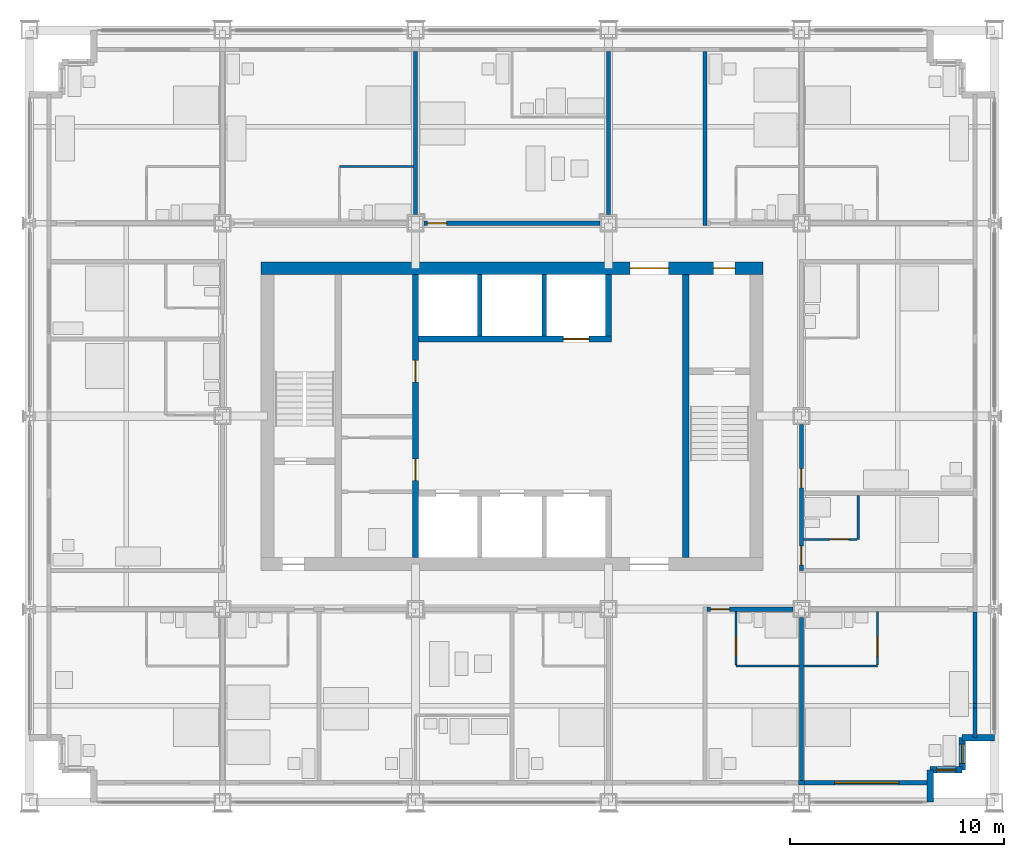
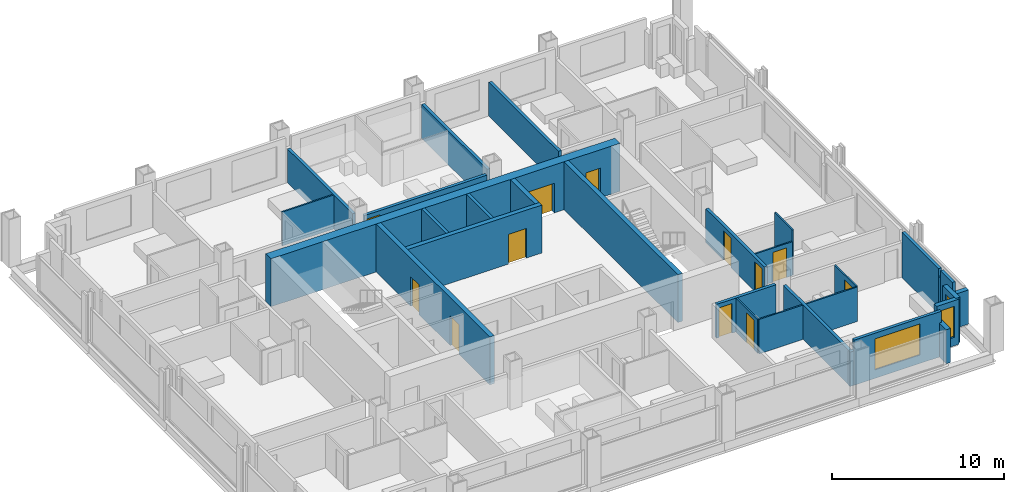
# One storey, part 11 of 16: 30 walls, 12 doors, 3 windows, 15 openings.
"""IFC4 building model written with IfcOpenShell, lengths in metres."""

from ifc_helpers import new_model, si_unit, direction, frame, frame_2d, origin, place, context, subcontext, project, spatial, rectangle, extrude, material, layer, layer_set, type_object, element, fill, save


model = new_model("IFC4")

# Units and contexts
model_context = context("Model", 3, precision=1e-05, world=origin(), true_north=direction((0.0, 1.0)))
body_context = subcontext(model_context, "Body", "Model", "MODEL_VIEW")
ifc_project = project(units=[si_unit("LENGTHUNIT", "METRE"), si_unit("AREAUNIT", "SQUARE_METRE"), si_unit("VOLUMEUNIT", "CUBIC_METRE"), si_unit("PLANEANGLEUNIT", "RADIAN"), si_unit("MASSUNIT", "GRAM", prefix="KILO")], contexts=[model_context])

# Site, building, storey
site_placement = place(None, origin())
site = spatial("IfcSite", under=ifc_project, at=site_placement, CompositionType="ELEMENT")
building_placement = place(site_placement, origin())
building = spatial("IfcBuilding", under=site, at=building_placement, Name="Loomwork Tower", CompositionType="ELEMENT")
storey_placement = place(building_placement, frame((0.0, 0.0, 121.39990234375)))
storey = spatial("IfcBuildingStorey", under=building, at=storey_placement, Name="L32", CompositionType="ELEMENT", Elevation=121.39990234375)

# Wall, openings, doors
ifc_material_1 = material(Name="Concrete 14000 psi (97 MPa)", Category="concrete")
ifc_layer_1 = layer(ifc_material_1, 0.300048828125)
ifc_layer_set_1 = layer_set([ifc_layer_1], Name="Core shear wall 300")
wall_type_1 = type_object("IfcWallType", Name="Core shear wall 300", PredefinedType="SHEAR", material=ifc_layer_set_1)
wall_1_placement = place(storey_placement, frame((18.0, 11.39990234375, 0.0), z_axis=(0.0, 0.0, 1.0), x_axis=(0.0, 1.0, 0.0)))
wall_1 = element("IfcWall", 1, at=wall_1_placement, inside=storey, type_object=wall_type_1, Name="Lobby west wall L32", PredefinedType="SHEAR", context=body_context, shape_type="SweptSolid", body=[
    extrude(rectangle(XDim=13.2001953125, YDim=0.300048828125, at=frame_2d((6.60009765625, 0.0))), origin(), (0.0, 0.0, 1.0), 3.400146484375),
])
opening_1_placement = place(wall_1_placement, frame((3.60009765625, 0.0, 0.0)))
opening_1 = element("IfcOpeningElement", 2, at=opening_1_placement, cuts=wall_1, Name="Opening D5", PredefinedType="OPENING", context=body_context, shape_type="SweptSolid", body=[
    extrude(rectangle(XDim=1.0, YDim=2.10009765625, at=frame_2d((0.5, 1.050048828125))), frame((0.0, 0.159912109375, 0.0), z_axis=(0.0, -1.0, 0.0), x_axis=(1.0, 0.0, 0.0)), (0.0, 0.0, 1.0), 0.320068359375),
])
opening_2_placement = place(wall_1_placement, frame((8.199951171875, 0.0, 0.0)))
opening_2 = element("IfcOpeningElement", 3, at=opening_2_placement, cuts=wall_1, Name="Opening D5", PredefinedType="OPENING", context=body_context, shape_type="SweptSolid", body=[
    extrude(rectangle(XDim=1.0, YDim=2.10009765625, at=frame_2d((0.5, 1.050048828125))), frame((0.0, 0.159912109375, 0.0), z_axis=(0.0, -1.0, 0.0), x_axis=(1.0, 0.0, 0.0)), (0.0, 0.0, 1.0), 0.320068359375),
])
ifc_material_2 = material(Name="Hollow metal door and frame")
door_type_1 = type_object("IfcDoorType", Name="Service door 1000", OperationType="SINGLE_SWING_LEFT", PredefinedType="DOOR", material=ifc_material_2)
door_1_placement = place(opening_1_placement, origin())
door_1 = element("IfcDoor", 4, at=door_1_placement, inside=storey, type_object=door_type_1, Name="Back-of-house door south", OperationType="SINGLE_SWING_LEFT", OverallHeight=2.10009765625, OverallWidth=1.0, PredefinedType="DOOR", context=body_context, shape_type="SweptSolid", body=[
    extrude(rectangle(XDim=1.0, YDim=2.10009765625, at=frame_2d((0.5, 1.050048828125))), frame((0.0, 0.02490234375, 0.0), z_axis=(0.0, -1.0, 0.0), x_axis=(1.0, 0.0, 0.0)), (0.0, 0.0, 1.0), 0.050048828125),
])
fill(opening_1, door_1)
door_2_placement = place(opening_2_placement, origin())
door_2 = element("IfcDoor", 5, at=door_2_placement, inside=storey, type_object=door_type_1, Name="Back-of-house door north", OperationType="SINGLE_SWING_RIGHT", OverallHeight=2.10009765625, OverallWidth=1.0, PredefinedType="DOOR", context=body_context, shape_type="SweptSolid", body=[
    extrude(rectangle(XDim=1.0, YDim=2.10009765625, at=frame_2d((0.5, 1.050048828125))), frame((0.0, 0.02490234375, 0.0), z_axis=(0.0, -1.0, 0.0), x_axis=(1.0, 0.0, 0.0)), (0.0, 0.0, 1.0), 0.050048828125),
])
fill(opening_2, door_2)

# Wall, opening, door
wall_2_placement = place(storey_placement, frame((18.14990234375, 21.60009765625, 0.0), z_axis=(0.0, 0.0, 1.0), x_axis=(1.0, 0.0, 0.0)))
wall_2 = element("IfcWall", 6, at=wall_2_placement, inside=storey, type_object=wall_type_1, Name="Lift front wall north L32", PredefinedType="SHEAR", context=body_context, shape_type="SweptSolid", body=[
    extrude(rectangle(XDim=9.0, YDim=0.300048828125, at=frame_2d((4.5, 0.0))), origin(), (0.0, 0.0, 1.0), 3.400146484375),
])
opening_3_placement = place(wall_2_placement, frame((6.75, 0.0, 0.0)))
opening_3 = element("IfcOpeningElement", 7, at=opening_3_placement, cuts=wall_2, Name="Opening LD2", PredefinedType="OPENING", context=body_context, shape_type="SweptSolid", body=[
    extrude(rectangle(XDim=1.199951171875, YDim=2.10009765625, at=frame_2d((0.60009765625, 1.050048828125))), frame((0.0, 0.159912109375, 0.0), z_axis=(0.0, -1.0, 0.0), x_axis=(1.0, 0.0, 0.0)), (0.0, 0.0, 1.0), 0.320068359375),
])
ifc_material_3 = material(Name="Hollow metal door and frame")
door_type_2 = type_object("IfcDoorType", Name="Lift landing door 1200", OperationType="SLIDING_TO_LEFT", PredefinedType="DOOR", material=ifc_material_3)
door_3_placement = place(opening_3_placement, origin())
door_3 = element("IfcDoor", 8, at=door_3_placement, inside=storey, type_object=door_type_2, Name="Lift landing door LF2", OperationType="SLIDING_TO_LEFT", OverallHeight=2.10009765625, OverallWidth=1.199951171875, PredefinedType="DOOR", context=body_context, shape_type="SweptSolid", body=[
    extrude(rectangle(XDim=1.199951171875, YDim=2.10009765625, at=frame_2d((0.60009765625, 1.050048828125))), frame((0.0, 0.02490234375, 0.0), z_axis=(0.0, -1.0, 0.0), x_axis=(1.0, 0.0, 0.0)), (0.0, 0.0, 1.0), 0.050048828125),
])
fill(opening_3, door_3)

# Walls
wall_3_placement = place(storey_placement, frame((27.0, 21.75, 0.0), z_axis=(0.0, 0.0, 1.0), x_axis=(0.0, 1.0, 0.0)))
element("IfcWall", 9, at=wall_3_placement, inside=storey, type_object=wall_type_1, Name="Lift shaft end wall north L32", PredefinedType="SHEAR", context=body_context, shape_type="SweptSolid", body=[
    extrude(rectangle(XDim=2.85009765625, YDim=0.300048828125, at=frame_2d((1.425048828125, 0.0))), origin(), (0.0, 0.0, 1.0), 3.400146484375),
])
wall_4_placement = place(storey_placement, frame((30.60009765625, 11.39990234375, 0.0), z_axis=(0.0, 0.0, 1.0), x_axis=(0.0, 1.0, 0.0)))
element("IfcWall", 10, at=wall_4_placement, inside=storey, type_object=wall_type_1, Name="Stair B west wall L32", PredefinedType="SHEAR", context=body_context, shape_type="SweptSolid", body=[
    extrude(rectangle(XDim=13.2001953125, YDim=0.300048828125, at=frame_2d((6.60009765625, 0.0))), origin(), (0.0, 0.0, 1.0), 3.400146484375),
])

# Wall, openings, doors
ifc_material_4 = material(Name="Concrete 14000 psi (97 MPa)", Category="concrete")
ifc_layer_2 = layer(ifc_material_4, 0.60009765625)
ifc_layer_set_2 = layer_set([ifc_layer_2], Name="Core shear wall 600")
wall_type_2 = type_object("IfcWallType", Name="Core shear wall 600", PredefinedType="SHEAR", material=ifc_layer_set_2)
wall_5_placement = place(storey_placement, frame((10.800048828125, 24.89990234375, 0.0), z_axis=(0.0, 0.0, 1.0), x_axis=(1.0, 0.0, 0.0)))
wall_5 = element("IfcWall", 11, at=wall_5_placement, inside=storey, type_object=wall_type_2, Name="Core wall north L32", PredefinedType="SHEAR", context=body_context, shape_type="SweptSolid", body=[
    extrude(rectangle(XDim=23.39990234375, YDim=0.60009765625, at=frame_2d((11.699951171875, 0.0))), origin(), (0.0, 0.0, 1.0), 3.400146484375),
])
opening_4_placement = place(wall_5_placement, frame((17.199951171875, 0.0, 0.0)))
opening_4 = element("IfcOpeningElement", 12, at=opening_4_placement, cuts=wall_5, Name="Opening D6", PredefinedType="OPENING", context=body_context, shape_type="SweptSolid", body=[
    extrude(rectangle(XDim=1.800048828125, YDim=2.10009765625, at=frame_2d((0.89990234375, 1.050048828125))), frame((0.0, 0.31005859375, 0.0), z_axis=(0.0, -1.0, 0.0), x_axis=(1.0, 0.0, 0.0)), (0.0, 0.0, 1.0), 0.6201171875),
])
opening_5_placement = place(wall_5_placement, frame((21.10009765625, 0.0, 0.0)))
opening_5 = element("IfcOpeningElement", 13, at=opening_5_placement, cuts=wall_5, Name="Opening D4", PredefinedType="OPENING", context=body_context, shape_type="SweptSolid", body=[
    extrude(rectangle(XDim=1.0, YDim=2.10009765625, at=frame_2d((0.5, 1.050048828125))), frame((0.0, 0.31005859375, 0.0), z_axis=(0.0, -1.0, 0.0), x_axis=(1.0, 0.0, 0.0)), (0.0, 0.0, 1.0), 0.6201171875),
])
ifc_material_5 = material(Name="Hollow metal door and frame")
door_type_3 = type_object("IfcDoorType", Name="Lobby passage double door 1800", OperationType="DOUBLE_DOOR_SINGLE_SWING", PredefinedType="DOOR", material=ifc_material_5)
door_4_placement = place(opening_4_placement, frame((1.800048828125, 0.0, 0.0), z_axis=(0.0, 0.0, 1.0), x_axis=(-1.0, 0.0, 0.0)))
door_4 = element("IfcDoor", 14, at=door_4_placement, inside=storey, type_object=door_type_3, Name="Lobby passage door north", OperationType="DOUBLE_DOOR_SINGLE_SWING", OverallHeight=2.10009765625, OverallWidth=1.800048828125, PredefinedType="DOOR", context=body_context, shape_type="SweptSolid", body=[
    extrude(rectangle(XDim=1.800048828125, YDim=2.10009765625, at=frame_2d((0.89990234375, 1.050048828125))), frame((0.0, 0.02490234375, 0.0), z_axis=(0.0, -1.0, 0.0), x_axis=(1.0, 0.0, 0.0)), (0.0, 0.0, 1.0), 0.050048828125),
])
fill(opening_4, door_4)
ifc_material_6 = material(Name="Hollow metal door and frame")
door_type_4 = type_object("IfcDoorType", Name="Stair door 1000", OperationType="SINGLE_SWING_RIGHT", PredefinedType="DOOR", material=ifc_material_6)
door_5_placement = place(opening_5_placement, frame((1.0, 0.0, 0.0), z_axis=(0.0, 0.0, 1.0), x_axis=(-1.0, 0.0, 0.0)))
door_5 = element("IfcDoor", 15, at=door_5_placement, inside=storey, type_object=door_type_4, Name="Stair B vestibule door", OperationType="SINGLE_SWING_LEFT", OverallHeight=2.10009765625, OverallWidth=1.0, PredefinedType="DOOR", context=body_context, shape_type="SweptSolid", body=[
    extrude(rectangle(XDim=1.0, YDim=2.10009765625, at=frame_2d((0.5, 1.050048828125))), frame((0.0, 0.02490234375, 0.0), z_axis=(0.0, -1.0, 0.0), x_axis=(1.0, 0.0, 0.0)), (0.0, 0.0, 1.0), 0.050048828125),
])
fill(opening_5, door_5)

# Wall, opening, door
ifc_material_7 = material(Name="Gypsum board on steel studs, one-hour", Category="steel")
ifc_layer_3 = layer(ifc_material_7, 0.199951171875)
ifc_layer_set_3 = layer_set([ifc_layer_3], Name="Corridor wall 200")
wall_type_3 = type_object("IfcWallType", Name="Corridor wall 200", PredefinedType="PARTITIONING", material=ifc_layer_set_3)
wall_6_placement = place(storey_placement, frame((31.60009765625, 9.0, 0.0), z_axis=(0.0, 0.0, 1.0), x_axis=(1.0, 0.0, 0.0)))
wall_6 = element("IfcWall", 16, at=wall_6_placement, inside=storey, type_object=wall_type_3, Name="South corridor wall 4", PredefinedType="PARTITIONING", context=body_context, shape_type="SweptSolid", body=[
    extrude(rectangle(XDim=4.0, YDim=0.199951171875, at=frame_2d((2.0, 0.0))), origin(), (0.0, 0.0, 1.0), 2.405029296875),
])
opening_6_placement = place(wall_6_placement, frame((0.14990234375, 0.0, 0.0)))
opening_6 = element("IfcOpeningElement", 17, at=opening_6_placement, cuts=wall_6, Name="Opening D1", PredefinedType="OPENING", context=body_context, shape_type="SweptSolid", body=[
    extrude(rectangle(XDim=0.89990234375, YDim=2.10009765625, at=frame_2d((0.449951171875, 1.050048828125))), frame((0.0, 0.10986328125, 0.0), z_axis=(0.0, -1.0, 0.0), x_axis=(1.0, 0.0, 0.0)), (0.0, 0.0, 1.0), 0.219970703125),
])
ifc_material_8 = material(Name="Hollow metal door and frame")
door_type_5 = type_object("IfcDoorType", Name="Guest room entry door 900", OperationType="SINGLE_SWING_LEFT", PredefinedType="DOOR", material=ifc_material_8)
door_6_placement = place(opening_6_placement, frame((0.89990234375, 0.0, 0.0), z_axis=(0.0, 0.0, 1.0), x_axis=(-1.0, 0.0, 0.0)))
door_6 = element("IfcDoor", 18, at=door_6_placement, inside=storey, type_object=door_type_5, Name="Guest room entry door L32 5", OperationType="SINGLE_SWING_RIGHT", OverallHeight=2.10009765625, OverallWidth=0.89990234375, PredefinedType="DOOR", context=body_context, shape_type="SweptSolid", body=[
    extrude(rectangle(XDim=0.89990234375, YDim=2.10009765625, at=frame_2d((0.449951171875, 1.050048828125))), frame((0.0, 0.02490234375, 0.0), z_axis=(0.0, -1.0, 0.0), x_axis=(1.0, 0.0, 0.0)), (0.0, 0.0, 1.0), 0.050048828125),
])
fill(opening_6, door_6)

wall_7_placement = place(storey_placement, frame((18.39990234375, 27.0, 0.0), z_axis=(0.0, 0.0, 1.0), x_axis=(1.0, 0.0, 0.0)))
wall_7 = element("IfcWall", 19, at=wall_7_placement, inside=storey, type_object=wall_type_3, Name="North corridor wall 3", PredefinedType="PARTITIONING", context=body_context, shape_type="SweptSolid", body=[
    extrude(rectangle(XDim=8.2001953125, YDim=0.199951171875, at=frame_2d((4.10009765625, 0.0))), origin(), (0.0, 0.0, 1.0), 2.405029296875),
])
opening_7_placement = place(wall_7_placement, frame((0.14990234375, 0.0, 0.0)))
opening_7 = element("IfcOpeningElement", 20, at=opening_7_placement, cuts=wall_7, Name="Opening D1", PredefinedType="OPENING", context=body_context, shape_type="SweptSolid", body=[
    extrude(rectangle(XDim=0.89990234375, YDim=2.10009765625, at=frame_2d((0.449951171875, 1.050048828125))), frame((0.0, 0.10986328125, 0.0), z_axis=(0.0, -1.0, 0.0), x_axis=(1.0, 0.0, 0.0)), (0.0, 0.0, 1.0), 0.219970703125),
])
door_7_placement = place(opening_7_placement, origin())
door_7 = element("IfcDoor", 21, at=door_7_placement, inside=storey, type_object=door_type_5, Name="Guest room entry door L32 9", OperationType="SINGLE_SWING_LEFT", OverallHeight=2.10009765625, OverallWidth=0.89990234375, PredefinedType="DOOR", context=body_context, shape_type="SweptSolid", body=[
    extrude(rectangle(XDim=0.89990234375, YDim=2.10009765625, at=frame_2d((0.449951171875, 1.050048828125))), frame((0.0, 0.02490234375, 0.0), z_axis=(0.0, -1.0, 0.0), x_axis=(1.0, 0.0, 0.0)), (0.0, 0.0, 1.0), 0.050048828125),
])
fill(opening_7, door_7)

# Wall, openings, doors
wall_8_placement = place(storey_placement, frame((36.0, 10.800048828125, 0.0), z_axis=(0.0, 0.0, 1.0), x_axis=(0.0, 1.0, 0.0)))
wall_8 = element("IfcWall", 22, at=wall_8_placement, inside=storey, type_object=wall_type_3, Name="East corridor wall 1", PredefinedType="PARTITIONING", context=body_context, shape_type="SweptSolid", body=[
    extrude(rectangle(XDim=6.800048828125, YDim=0.199951171875, at=frame_2d((3.39990234375, 0.0))), origin(), (0.0, 0.0, 1.0), 2.405029296875),
])
opening_8_placement = place(wall_8_placement, frame((0.25, 0.0, 0.0)))
opening_8 = element("IfcOpeningElement", 23, at=opening_8_placement, cuts=wall_8, Name="Opening D1", PredefinedType="OPENING", context=body_context, shape_type="SweptSolid", body=[
    extrude(rectangle(XDim=0.89990234375, YDim=2.10009765625, at=frame_2d((0.449951171875, 1.050048828125))), frame((0.0, 0.10986328125, 0.0), z_axis=(0.0, -1.0, 0.0), x_axis=(1.0, 0.0, 0.0)), (0.0, 0.0, 1.0), 0.219970703125),
])
opening_9_placement = place(wall_8_placement, frame((3.85009765625, 0.0, 0.0)))
opening_9 = element("IfcOpeningElement", 24, at=opening_9_placement, cuts=wall_8, Name="Opening D1", PredefinedType="OPENING", context=body_context, shape_type="SweptSolid", body=[
    extrude(rectangle(XDim=0.89990234375, YDim=2.10009765625, at=frame_2d((0.449951171875, 1.050048828125))), frame((0.0, 0.10986328125, 0.0), z_axis=(0.0, -1.0, 0.0), x_axis=(1.0, 0.0, 0.0)), (0.0, 0.0, 1.0), 0.219970703125),
])
door_8_placement = place(opening_8_placement, frame((0.89990234375, 0.0, 0.0), z_axis=(0.0, 0.0, 1.0), x_axis=(-1.0, 0.0, 0.0)))
door_8 = element("IfcDoor", 25, at=door_8_placement, inside=storey, type_object=door_type_5, Name="Guest room entry door L32 14", OperationType="SINGLE_SWING_RIGHT", OverallHeight=2.10009765625, OverallWidth=0.89990234375, PredefinedType="DOOR", context=body_context, shape_type="SweptSolid", body=[
    extrude(rectangle(XDim=0.89990234375, YDim=2.10009765625, at=frame_2d((0.449951171875, 1.050048828125))), frame((0.0, 0.02490234375, 0.0), z_axis=(0.0, -1.0, 0.0), x_axis=(1.0, 0.0, 0.0)), (0.0, 0.0, 1.0), 0.050048828125),
])
fill(opening_8, door_8)
door_9_placement = place(opening_9_placement, frame((0.89990234375, 0.0, 0.0), z_axis=(0.0, 0.0, 1.0), x_axis=(-1.0, 0.0, 0.0)))
door_9 = element("IfcDoor", 26, at=door_9_placement, inside=storey, type_object=door_type_5, Name="Guest room entry door L32 15", OperationType="SINGLE_SWING_RIGHT", OverallHeight=2.10009765625, OverallWidth=0.89990234375, PredefinedType="DOOR", context=body_context, shape_type="SweptSolid", body=[
    extrude(rectangle(XDim=0.89990234375, YDim=2.10009765625, at=frame_2d((0.449951171875, 1.050048828125))), frame((0.0, 0.02490234375, 0.0), z_axis=(0.0, -1.0, 0.0), x_axis=(1.0, 0.0, 0.0)), (0.0, 0.0, 1.0), 0.050048828125),
])
fill(opening_9, door_9)

# Wall
ifc_material_9 = material(Name="Cement board on steel studs", Category="steel")
ifc_layer_4 = layer(ifc_material_9, 0.10009765625)
ifc_layer_set_4 = layer_set([ifc_layer_4], Name="En-suite partition 100")
wall_type_4 = type_object("IfcWallType", Name="En-suite partition 100", PredefinedType="PARTITIONING", material=ifc_layer_set_4)
wall_9_placement = place(storey_placement, frame((32.949951171875, 6.35009765625, 0.0), z_axis=(0.0, 0.0, 1.0), x_axis=(1.0, 0.0, 0.0)))
element("IfcWall", 27, at=wall_9_placement, inside=storey, type_object=wall_type_4, Name="En-suite wall L32 room 5", PredefinedType="PARTITIONING", context=body_context, shape_type="SweptSolid", body=[
    extrude(rectangle(XDim=2.949951171875, YDim=0.10009765625, at=frame_2d((1.47509765625, 0.0))), origin(), (0.0, 0.0, 1.0), 2.43798828125),
])

# Wall, opening, door
wall_10_placement = place(storey_placement, frame((32.949951171875, 8.89990234375, 0.0), z_axis=(0.0, 0.0, 1.0), x_axis=(0.0, -1.0, 0.0)))
wall_10 = element("IfcWall", 28, at=wall_10_placement, inside=storey, type_object=wall_type_4, Name="En-suite side wall L32 room 5", PredefinedType="PARTITIONING", context=body_context, shape_type="SweptSolid", body=[
    extrude(rectangle(XDim=2.5, YDim=0.10009765625, at=frame_2d((1.25, 0.0))), origin(), (0.0, 0.0, 1.0), 2.404052734375),
])
opening_10_placement = place(wall_10_placement, frame((1.199951171875, 0.0, 0.0)))
opening_10 = element("IfcOpeningElement", 29, at=opening_10_placement, cuts=wall_10, Name="Opening D3", PredefinedType="OPENING", context=body_context, shape_type="SweptSolid", body=[
    extrude(rectangle(XDim=0.89990234375, YDim=2.10009765625, at=frame_2d((0.449951171875, 1.050048828125))), frame((0.0, 0.06005859375, 0.0), z_axis=(0.0, -1.0, 0.0), x_axis=(1.0, 0.0, 0.0)), (0.0, 0.0, 1.0), 0.1201171875),
])
ifc_material_10 = material(Name="Hollow metal door and frame")
door_type_6 = type_object("IfcDoorType", Name="Accessible en-suite door 900", OperationType="SLIDING_TO_LEFT", PredefinedType="DOOR", material=ifc_material_10)
door_10_placement = place(opening_10_placement, origin())
door_10 = element("IfcDoor", 30, at=door_10_placement, inside=storey, type_object=door_type_6, Name="Accessible en-suite door room 5", OperationType="SLIDING_TO_LEFT", OverallHeight=2.10009765625, OverallWidth=0.89990234375, PredefinedType="DOOR", context=body_context, shape_type="SweptSolid", body=[
    extrude(rectangle(XDim=0.89990234375, YDim=2.10009765625, at=frame_2d((0.449951171875, 1.050048828125))), frame((0.0, 0.02490234375, 0.0), z_axis=(0.0, -1.0, 0.0), x_axis=(1.0, 0.0, 0.0)), (0.0, 0.0, 1.0), 0.050048828125),
])
fill(opening_10, door_10)

# Wall
wall_11_placement = place(storey_placement, frame((36.10009765625, 6.35009765625, 0.0), z_axis=(0.0, 0.0, 1.0), x_axis=(1.0, 0.0, 0.0)))
element("IfcWall", 31, at=wall_11_placement, inside=storey, type_object=wall_type_4, Name="En-suite wall L32 room 6", PredefinedType="PARTITIONING", context=body_context, shape_type="SweptSolid", body=[
    extrude(rectangle(XDim=3.449951171875, YDim=0.10009765625, at=frame_2d((1.72509765625, 0.0))), origin(), (0.0, 0.0, 1.0), 2.43798828125),
])

# Wall, opening, door
wall_12_placement = place(storey_placement, frame((39.550048828125, 8.89990234375, 0.0), z_axis=(0.0, 0.0, 1.0), x_axis=(0.0, -1.0, 0.0)))
wall_12 = element("IfcWall", 32, at=wall_12_placement, inside=storey, type_object=wall_type_4, Name="En-suite side wall L32 room 6", PredefinedType="PARTITIONING", context=body_context, shape_type="SweptSolid", body=[
    extrude(rectangle(XDim=2.5, YDim=0.10009765625, at=frame_2d((1.25, 0.0))), origin(), (0.0, 0.0, 1.0), 2.43798828125),
])
opening_11_placement = place(wall_12_placement, frame((1.199951171875, 0.0, 0.0)))
opening_11 = element("IfcOpeningElement", 33, at=opening_11_placement, cuts=wall_12, Name="Opening D2", PredefinedType="OPENING", context=body_context, shape_type="SweptSolid", body=[
    extrude(rectangle(XDim=0.89990234375, YDim=2.10009765625, at=frame_2d((0.449951171875, 1.050048828125))), frame((0.0, 0.06005859375, 0.0), z_axis=(0.0, -1.0, 0.0), x_axis=(1.0, 0.0, 0.0)), (0.0, 0.0, 1.0), 0.1201171875),
])
ifc_material_11 = material(Name="Hollow metal door and frame")
door_type_7 = type_object("IfcDoorType", Name="En-suite door 900", OperationType="SINGLE_SWING_LEFT", PredefinedType="DOOR", material=ifc_material_11)
door_11_placement = place(opening_11_placement, frame((0.89990234375, 0.0, 0.0), z_axis=(0.0, 0.0, 1.0), x_axis=(-1.0, 0.0, 0.0)))
door_11 = element("IfcDoor", 34, at=door_11_placement, inside=storey, type_object=door_type_7, Name="En-suite door room 6", OperationType="SINGLE_SWING_LEFT", OverallHeight=2.10009765625, OverallWidth=0.89990234375, PredefinedType="DOOR", context=body_context, shape_type="SweptSolid", body=[
    extrude(rectangle(XDim=0.89990234375, YDim=2.10009765625, at=frame_2d((0.449951171875, 1.050048828125))), frame((0.0, 0.02490234375, 0.0), z_axis=(0.0, -1.0, 0.0), x_axis=(1.0, 0.0, 0.0)), (0.0, 0.0, 1.0), 0.050048828125),
])
fill(opening_11, door_11)

# Walls
wall_13_placement = place(storey_placement, frame((14.449951171875, 29.64990234375, 0.0), z_axis=(0.0, 0.0, 1.0), x_axis=(1.0, 0.0, 0.0)))
element("IfcWall", 35, at=wall_13_placement, inside=storey, type_object=wall_type_4, Name="En-suite wall L32 room 8", PredefinedType="PARTITIONING", context=body_context, shape_type="SweptSolid", body=[
    extrude(rectangle(XDim=3.449951171875, YDim=0.10009765625, at=frame_2d((1.72509765625, 0.0))), origin(), (0.0, 0.0, 1.0), 2.404052734375),
])
wall_14_placement = place(storey_placement, frame((38.64990234375, 12.25, 0.0), z_axis=(0.0, 0.0, 1.0), x_axis=(0.0, 1.0, 0.0)))
element("IfcWall", 36, at=wall_14_placement, inside=storey, type_object=wall_type_4, Name="En-suite wall L32 room 14", PredefinedType="PARTITIONING", context=body_context, shape_type="SweptSolid", body=[
    extrude(rectangle(XDim=2.050048828125, YDim=0.10009765625, at=frame_2d((1.02490234375, 0.0))), origin(), (0.0, 0.0, 1.0), 3.2001953125),
])

# Wall, opening, door
wall_15_placement = place(storey_placement, frame((36.10009765625, 12.25, 0.0), z_axis=(0.0, 0.0, 1.0), x_axis=(1.0, 0.0, 0.0)))
wall_15 = element("IfcWall", 37, at=wall_15_placement, inside=storey, type_object=wall_type_4, Name="En-suite side wall L32 room 14", PredefinedType="PARTITIONING", context=body_context, shape_type="SweptSolid", body=[
    extrude(rectangle(XDim=2.5, YDim=0.10009765625, at=frame_2d((1.25, 0.0))), origin(), (0.0, 0.0, 1.0), 2.404052734375),
])
opening_12_placement = place(wall_15_placement, frame((1.199951171875, 0.0, 0.0)))
opening_12 = element("IfcOpeningElement", 38, at=opening_12_placement, cuts=wall_15, Name="Opening D2", PredefinedType="OPENING", context=body_context, shape_type="SweptSolid", body=[
    extrude(rectangle(XDim=0.89990234375, YDim=2.10009765625, at=frame_2d((0.449951171875, 1.050048828125))), frame((0.0, 0.06005859375, 0.0), z_axis=(0.0, -1.0, 0.0), x_axis=(1.0, 0.0, 0.0)), (0.0, 0.0, 1.0), 0.1201171875),
])
door_12_placement = place(opening_12_placement, origin())
door_12 = element("IfcDoor", 39, at=door_12_placement, inside=storey, type_object=door_type_7, Name="En-suite door room 14", OperationType="SINGLE_SWING_RIGHT", OverallHeight=2.10009765625, OverallWidth=0.89990234375, PredefinedType="DOOR", context=body_context, shape_type="SweptSolid", body=[
    extrude(rectangle(XDim=0.89990234375, YDim=2.10009765625, at=frame_2d((0.449951171875, 1.050048828125))), frame((0.0, 0.02490234375, 0.0), z_axis=(0.0, -1.0, 0.0), x_axis=(1.0, 0.0, 0.0)), (0.0, 0.0, 1.0), 0.050048828125),
])
fill(opening_12, door_12)

# Walls
ifc_material_12 = material(Name="Gypsum board on steel studs, acoustic", Category="steel")
ifc_layer_5 = layer(ifc_material_12, 0.199951171875)
ifc_layer_set_5 = layer_set([ifc_layer_5], Name="Guest room party wall 200")
wall_type_5 = type_object("IfcWallType", Name="Guest room party wall 200", PredefinedType="PARTITIONING", material=ifc_layer_set_5)
wall_16_placement = place(storey_placement, frame((36.0, 8.60009765625, 0.0), z_axis=(0.0, 0.0, 1.0), x_axis=(0.0, -1.0, 0.0)))
element("IfcWall", 40, at=wall_16_placement, inside=storey, type_object=wall_type_5, Name="Guest room party wall S 36", PredefinedType="PARTITIONING", context=body_context, shape_type="SweptSolid", body=[
    extrude(rectangle(XDim=7.60009765625, YDim=0.199951171875, at=frame_2d((3.800048828125, 0.0))), origin(), (0.0, 0.0, 1.0), 2.43798828125),
])
for number, where, z_axis, x_axis, name in (
    (41, (18.0, 27.39990234375, 0.0), (0.0, 0.0, 1.0), (0.0, 1.0, 0.0), "Guest room party wall N 18"),
    (42, (27.0, 27.39990234375, 0.0), (0.0, 0.0, 1.0), (0.0, 1.0, 0.0), "Guest room party wall N 27"),
):
    element("IfcWall", number, at=place(storey_placement, frame(where, z_axis=z_axis, x_axis=x_axis)), inside=storey, type_object=wall_type_5, Name=name, PredefinedType="PARTITIONING", context=body_context, shape_type="SweptSolid", body=[
        extrude(rectangle(XDim=7.60009765625, YDim=0.199951171875, at=frame_2d((3.800048828125, 0.0))), origin(), (0.0, 0.0, 1.0), 2.405029296875),
    ])
wall_17_placement = place(storey_placement, frame((31.5, 26.89990234375, 0.0), z_axis=(0.0, 0.0, 1.0), x_axis=(0.0, 1.0, 0.0)))
element("IfcWall", 43, at=wall_17_placement, inside=storey, type_object=wall_type_5, Name="Guest room party wall N 31.5", PredefinedType="PARTITIONING", context=body_context, shape_type="SweptSolid", body=[
    extrude(rectangle(XDim=8.10009765625, YDim=0.199951171875, at=frame_2d((4.050048828125, 0.0))), origin(), (0.0, 0.0, 1.0), 2.404052734375),
])
ifc_material_13 = material(Name="Insulated steel stud wall with gypsum lining", Category="steel")
ifc_layer_6 = layer(ifc_material_13, 0.199951171875)
ifc_layer_set_6 = layer_set([ifc_layer_6], Name="Inner skin wall 200")
wall_type_6 = type_object("IfcWallType", Name="Inner skin wall 200", PredefinedType="SOLIDWALL", material=ifc_layer_set_6)
wall_18_placement = place(storey_placement, frame((44.10009765625, 3.0, 0.0), z_axis=(0.0, 0.0, 1.0), x_axis=(0.0, 1.0, 0.0)))
element("IfcWall", 44, at=wall_18_placement, inside=storey, type_object=wall_type_6, Name="Inner skin wall E", PredefinedType="SOLIDWALL", context=body_context, shape_type="SweptSolid", body=[
    extrude(rectangle(XDim=1.392578125, YDim=0.199951171875, at=frame_2d((0.6962890625, 0.0))), origin(), (0.0, 0.0, 1.0), 3.2001953125),
])
wall_19_placement = place(storey_placement, frame((35.864501953125, 0.89990234375, 0.0), z_axis=(0.0, 0.0, 1.0), x_axis=(1.0, 0.0, 0.0)))
element("IfcWall", 45, at=wall_19_placement, inside=storey, type_object=wall_type_6, Name="Inner skin wall S bay 8", PredefinedType="SOLIDWALL", context=body_context, shape_type="SweptSolid", body=[
    extrude(rectangle(XDim=0.27099609375, YDim=0.199951171875, at=frame_2d((0.135498046875, 0.0))), origin(), (0.0, 0.0, 1.0), 2.43798828125),
])

# Wall, opening, window
wall_20_placement = place(storey_placement, frame((36.135498046875, 0.89990234375, 0.0), z_axis=(0.0, 0.0, 1.0), x_axis=(1.0, 0.0, 0.0)))
wall_20 = element("IfcWall", 46, at=wall_20_placement, inside=storey, type_object=wall_type_6, Name="Inner skin wall S bay 9", PredefinedType="SOLIDWALL", context=body_context, shape_type="SweptSolid", body=[
    extrude(rectangle(XDim=5.864501953125, YDim=0.199951171875, at=frame_2d((2.93212890625, 0.0))), origin(), (0.0, 0.0, 1.0), 3.2001953125),
])
opening_13_placement = place(wall_20_placement, frame((1.41455078125, 0.0, 0.60009765625)))
opening_13 = element("IfcOpeningElement", 47, at=opening_13_placement, cuts=wall_20, Name="Opening CH1", PredefinedType="OPENING", context=body_context, shape_type="SweptSolid", body=[
    extrude(rectangle(XDim=3.0, YDim=2.199951171875, at=frame_2d((1.5, 1.10009765625))), frame((0.0, 0.10986328125, 0.0), z_axis=(0.0, -1.0, 0.0), x_axis=(1.0, 0.0, 0.0)), (0.0, 0.0, 1.0), 0.219970703125),
])
ifc_material_14 = material(Name="Aluminium frame with clear insulated glass", Category="aluminium")
window_type_1 = type_object("IfcWindowType", Name="Chicago window 3000", PartitioningType="TRIPLE_PANEL_VERTICAL", PredefinedType="WINDOW", material=ifc_material_14)
window_1_placement = place(opening_13_placement, origin())
window_1 = element("IfcWindow", 48, at=window_1_placement, inside=storey, type_object=window_type_1, Name="Chicago window L32 bay 5", OverallHeight=2.199951171875, OverallWidth=3.0, PartitioningType="TRIPLE_PANEL_VERTICAL", PredefinedType="WINDOW", context=body_context, shape_type="SweptSolid", body=[
    extrude(rectangle(XDim=3.0, YDim=2.199951171875, at=frame_2d((1.5, 1.10009765625))), frame((0.0, 0.030029296875, 0.0), z_axis=(0.0, -1.0, 0.0), x_axis=(1.0, 0.0, 0.0)), (0.0, 0.0, 1.0), 0.06005859375),
])
fill(opening_13, window_1)

# Walls
wall_21_placement = place(storey_placement, frame((44.10009765625, 4.392578125, 0.0), z_axis=(0.0, 0.0, 1.0), x_axis=(0.0, 1.0, 0.0)))
element("IfcWall", 49, at=wall_21_placement, inside=storey, type_object=wall_type_6, Name="Inner skin wall E bay 2", PredefinedType="SOLIDWALL", context=body_context, shape_type="SweptSolid", body=[
    extrude(rectangle(XDim=0.21484375, YDim=0.199951171875, at=frame_2d((0.107421875, 0.0))), origin(), (0.0, 0.0, 1.0), 2.6611328125),
])
wall_22_placement = place(storey_placement, frame((44.10009765625, 4.607421875, 0.0), z_axis=(0.0, 0.0, 1.0), x_axis=(0.0, 1.0, 0.0)))
element("IfcWall", 50, at=wall_22_placement, inside=storey, type_object=wall_type_6, Name="Inner skin wall E bay 3", PredefinedType="SOLIDWALL", context=body_context, shape_type="SweptSolid", body=[
    extrude(rectangle(XDim=4.25732421875, YDim=0.199951171875, at=frame_2d((2.128662109375, 0.0))), origin(), (0.0, 0.0, 1.0), 3.2001953125),
])
ifc_material_15 = material(Name="Concrete 14000 psi (97 MPa)", Category="concrete")
ifc_layer_7 = layer(ifc_material_15, 0.199951171875)
ifc_layer_set_7 = layer_set([ifc_layer_7], Name="Lift shaft wall 200")
wall_type_7 = type_object("IfcWallType", Name="Lift shaft wall 200", PredefinedType="SHEAR", material=ifc_layer_set_7)
for number, where, z_axis, x_axis, name in (
    (51, (21.0, 21.75, 0.0), (0.0, 0.0, 1.0), (0.0, 1.0, 0.0), "Lift shaft separation wall north 1 L32"),
    (52, (24.0, 21.75, 0.0), (0.0, 0.0, 1.0), (0.0, 1.0, 0.0), "Lift shaft separation wall north 2 L32"),
):
    element("IfcWall", number, at=place(storey_placement, frame(where, z_axis=z_axis, x_axis=x_axis)), inside=storey, type_object=wall_type_7, Name=name, PredefinedType="SHEAR", context=body_context, shape_type="SweptSolid", body=[
        extrude(rectangle(XDim=2.85009765625, YDim=0.199951171875, at=frame_2d((1.425048828125, 0.0))), origin(), (0.0, 0.0, 1.0), 3.400146484375),
    ])
ifc_material_16 = material(Name="Limestone on concrete masonry", Category="masonry")
ifc_layer_8 = layer(ifc_material_16, 0.300048828125)
ifc_layer_set_8 = layer_set([ifc_layer_8], Name="Limestone corner wall 300")
wall_type_8 = type_object("IfcWallType", Name="Limestone corner wall 300", PredefinedType="SOLIDWALL", material=ifc_layer_set_8)
wall_23_placement = place(storey_placement, frame((42.0, 0.0, 0.0), z_axis=(0.0, 0.0, 1.0), x_axis=(0.0, 1.0, 0.0)))
element("IfcWall", 53, at=wall_23_placement, inside=storey, type_object=wall_type_8, Name="Stone corner wall SE 1", PredefinedType="SOLIDWALL", context=body_context, shape_type="SweptSolid", body=[
    extrude(rectangle(XDim=1.5, YDim=0.300048828125, at=frame_2d((0.75, 0.0))), origin(), (0.0, 0.0, 1.0), 2.420166015625),
])

# Wall, opening, window
wall_24_placement = place(storey_placement, frame((42.0, 1.5, 0.0), z_axis=(0.0, 0.0, 1.0), x_axis=(1.0, 0.0, 0.0)))
wall_24 = element("IfcWall", 54, at=wall_24_placement, inside=storey, type_object=wall_type_8, Name="Stone corner wall SE 2", PredefinedType="SOLIDWALL", context=body_context, shape_type="SweptSolid", body=[
    extrude(rectangle(XDim=1.5, YDim=0.300048828125, at=frame_2d((0.75, 0.0))), origin(), (0.0, 0.0, 1.0), 3.2001953125),
])
opening_14_placement = place(wall_24_placement, frame((0.300048828125, 0.0, 0.60009765625)))
opening_14 = element("IfcOpeningElement", 55, at=opening_14_placement, cuts=wall_24, Name="Opening CH2", PredefinedType="OPENING", context=body_context, shape_type="SweptSolid", body=[
    extrude(rectangle(XDim=0.89990234375, YDim=2.199951171875, at=frame_2d((0.449951171875, 1.10009765625))), frame((0.0, 0.159912109375, 0.0), z_axis=(0.0, -1.0, 0.0), x_axis=(1.0, 0.0, 0.0)), (0.0, 0.0, 1.0), 0.320068359375),
])
ifc_material_17 = material(Name="Aluminium frame with clear insulated glass", Category="aluminium")
window_type_2 = type_object("IfcWindowType", Name="Corner window 900", PartitioningType="SINGLE_PANEL", PredefinedType="WINDOW", material=ifc_material_17)
window_2_placement = place(opening_14_placement, origin())
window_2 = element("IfcWindow", 56, at=window_2_placement, inside=storey, type_object=window_type_2, Name="Corner window SE", OverallHeight=2.199951171875, OverallWidth=0.89990234375, PartitioningType="SINGLE_PANEL", PredefinedType="WINDOW", context=body_context, shape_type="SweptSolid", body=[
    extrude(rectangle(XDim=0.89990234375, YDim=2.199951171875, at=frame_2d((0.449951171875, 1.10009765625))), frame((0.0, 0.030029296875, 0.0), z_axis=(0.0, -1.0, 0.0), x_axis=(1.0, 0.0, 0.0)), (0.0, 0.0, 1.0), 0.06005859375),
])
fill(opening_14, window_2)

wall_25_placement = place(storey_placement, frame((43.5, 1.5, 0.0), z_axis=(0.0, 0.0, 1.0), x_axis=(0.0, 1.0, 0.0)))
wall_25 = element("IfcWall", 57, at=wall_25_placement, inside=storey, type_object=wall_type_8, Name="Stone corner wall SE 3", PredefinedType="SOLIDWALL", context=body_context, shape_type="SweptSolid", body=[
    extrude(rectangle(XDim=1.5, YDim=0.300048828125, at=frame_2d((0.75, 0.0))), origin(), (0.0, 0.0, 1.0), 3.2001953125),
])
opening_15_placement = place(wall_25_placement, frame((0.300048828125, 0.0, 0.60009765625)))
opening_15 = element("IfcOpeningElement", 58, at=opening_15_placement, cuts=wall_25, Name="Opening CH2", PredefinedType="OPENING", context=body_context, shape_type="SweptSolid", body=[
    extrude(rectangle(XDim=0.89990234375, YDim=2.199951171875, at=frame_2d((0.449951171875, 1.10009765625))), frame((0.0, 0.159912109375, 0.0), z_axis=(0.0, -1.0, 0.0), x_axis=(1.0, 0.0, 0.0)), (0.0, 0.0, 1.0), 0.320068359375),
])
window_3_placement = place(opening_15_placement, origin())
window_3 = element("IfcWindow", 59, at=window_3_placement, inside=storey, type_object=window_type_2, Name="Corner window SE", OverallHeight=2.199951171875, OverallWidth=0.89990234375, PartitioningType="SINGLE_PANEL", PredefinedType="WINDOW", context=body_context, shape_type="SweptSolid", body=[
    extrude(rectangle(XDim=0.89990234375, YDim=2.199951171875, at=frame_2d((0.449951171875, 1.10009765625))), frame((0.0, 0.030029296875, 0.0), z_axis=(0.0, -1.0, 0.0), x_axis=(1.0, 0.0, 0.0)), (0.0, 0.0, 1.0), 0.06005859375),
])
fill(opening_15, window_3)

# Wall
wall_26_placement = place(storey_placement, frame((43.5, 3.0, 0.0), z_axis=(0.0, 0.0, 1.0), x_axis=(1.0, 0.0, 0.0)))
element("IfcWall", 60, at=wall_26_placement, inside=storey, type_object=wall_type_8, Name="Stone corner wall SE 4", PredefinedType="SOLIDWALL", context=body_context, shape_type="SweptSolid", body=[
    extrude(rectangle(XDim=1.5, YDim=0.300048828125, at=frame_2d((0.75, 0.0))), origin(), (0.0, 0.0, 1.0), 2.420166015625),
])

save(model, "model.ifc")
